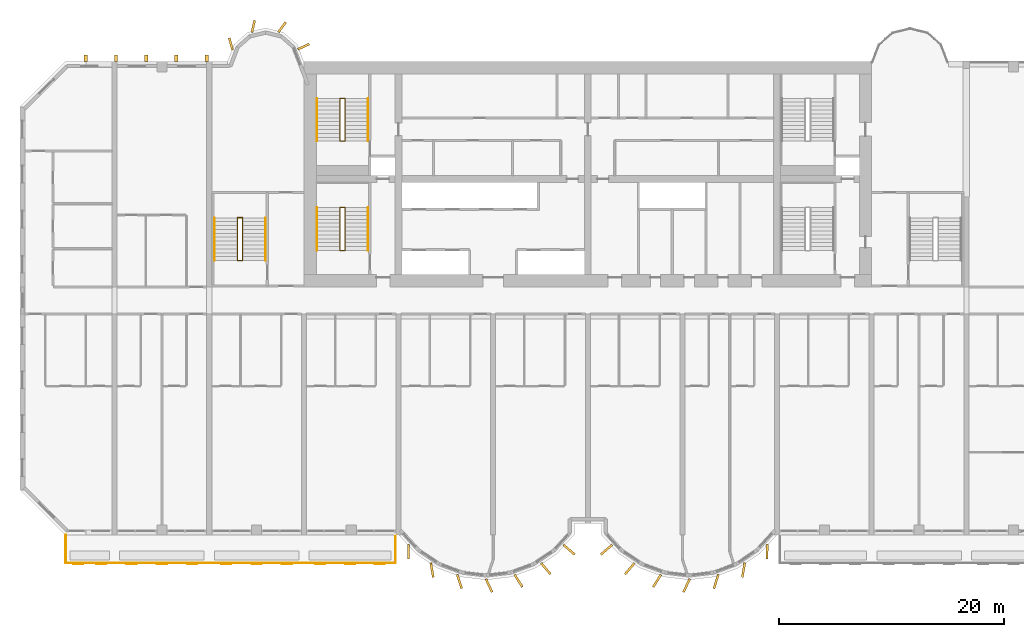
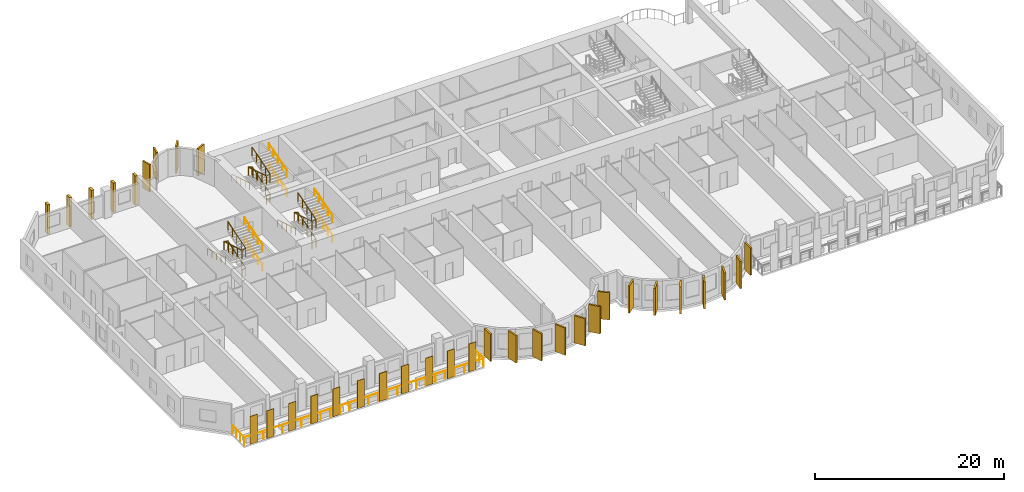
# One storey, part 12 of 14: 34 coverings, 13 railings.
"""IFC4 building model written with IfcOpenShell, lengths in metres."""

from ifc_helpers import new_model, si_unit, direction, frame, origin, origin_2d, place, context, subcontext, project, spatial, rectangle, circle, extrude, source, transform, mapped, material, layer, layer_set, material_profile, profile_set, type_object, element, save


model = new_model("IFC4")

# Units and contexts
model_context = context("Model", 3, precision=1e-05, world=origin(), true_north=direction((0.0, 1.0)))
body_context = subcontext(model_context, "Body", "Model", "MODEL_VIEW")
ifc_project = project(units=[si_unit("LENGTHUNIT", "METRE"), si_unit("AREAUNIT", "SQUARE_METRE"), si_unit("VOLUMEUNIT", "CUBIC_METRE"), si_unit("PLANEANGLEUNIT", "RADIAN"), si_unit("MASSUNIT", "GRAM", prefix="KILO")], contexts=[model_context])

# Site, building, storey
site_placement = place(None, origin())
site = spatial("IfcSite", under=ifc_project, at=site_placement, CompositionType="ELEMENT")
building_placement = place(site_placement, origin())
building = spatial("IfcBuilding", under=site, at=building_placement, Name="Vanashikhar Sky Hotel", CompositionType="ELEMENT")
storey_placement = place(building_placement, frame((0.0, 0.0, 43.0)))
storey = spatial("IfcBuildingStorey", under=building, at=storey_placement, Name="L09", CompositionType="ELEMENT", Elevation=43.0)

# Railing
ifc_material_1 = material(Name="Stainless steel 316", Category="steel")
railing_type_1 = type_object("IfcRailingType", Name="Balcony guard 1100", PredefinedType="GUARDRAIL", material=ifc_material_1)
shared_shape_1 = source(origin(), body_context, "Body", "SweptSolid", [
    extrude(circle(Radius=0.02392578125, at=origin_2d()), frame((0.0, 0.0, 1.076171875), z_axis=(0.0, -1.0, 0.0), x_axis=(1.0, 0.0, 0.0)), (0.0, 0.0, 1.0), 2.5),
    extrude(circle(Radius=0.02392578125, at=origin_2d()), frame((0.0, -2.5, 1.076171875), z_axis=(1.0, 0.0, 0.0), x_axis=(0.0, 1.0, 0.0)), (0.0, 0.0, 1.0), 29.280029296875),
    extrude(circle(Radius=0.02392578125, at=origin_2d()), frame((29.280029296875, -2.5, 1.076171875), z_axis=(0.0, 1.0, 0.0), x_axis=(-1.0, 0.0, 0.0)), (0.0, 0.0, 1.0), 2.5),
    extrude(circle(Radius=0.02099609375, at=origin_2d()), origin(), (0.0, 0.0, 1.0), 1.052001953125),
    extrude(circle(Radius=0.02099609375, at=origin_2d()), frame((0.0, -0.833251953125, 0.0)), (0.0, 0.0, 1.0), 1.052001953125),
    extrude(circle(Radius=0.02099609375, at=origin_2d()), frame((0.0, -1.666748046875, 0.0)), (0.0, 0.0, 1.0), 1.052001953125),
    extrude(circle(Radius=0.02099609375, at=origin_2d()), frame((0.0, -2.5, 0.0)), (0.0, 0.0, 1.0), 1.052001953125),
    extrude(circle(Radius=0.02099609375, at=origin_2d()), frame((1.171142578125, -2.5, 0.0)), (0.0, 0.0, 1.0), 1.052001953125),
    extrude(circle(Radius=0.02099609375, at=origin_2d()), frame((2.34228515625, -2.5, 0.0)), (0.0, 0.0, 1.0), 1.052001953125),
    extrude(circle(Radius=0.02099609375, at=origin_2d()), frame((3.513671875, -2.5, 0.0)), (0.0, 0.0, 1.0), 1.052001953125),
    extrude(circle(Radius=0.02099609375, at=origin_2d()), frame((4.684814453125, -2.5, 0.0)), (0.0, 0.0, 1.0), 1.052001953125),
    extrude(circle(Radius=0.02099609375, at=origin_2d()), frame((5.85595703125, -2.5, 0.0)), (0.0, 0.0, 1.0), 1.052001953125),
    extrude(circle(Radius=0.02099609375, at=origin_2d()), frame((7.027099609375, -2.5, 0.0)), (0.0, 0.0, 1.0), 1.052001953125),
    extrude(circle(Radius=0.02099609375, at=origin_2d()), frame((8.198486328125, -2.5, 0.0)), (0.0, 0.0, 1.0), 1.052001953125),
    extrude(circle(Radius=0.02099609375, at=origin_2d()), frame((9.36962890625, -2.5, 0.0)), (0.0, 0.0, 1.0), 1.052001953125),
    extrude(circle(Radius=0.02099609375, at=origin_2d()), frame((10.540771484375, -2.5, 0.0)), (0.0, 0.0, 1.0), 1.052001953125),
    extrude(circle(Radius=0.02099609375, at=origin_2d()), frame((11.7119140625, -2.5, 0.0)), (0.0, 0.0, 1.0), 1.052001953125),
    extrude(circle(Radius=0.02099609375, at=origin_2d()), frame((12.88330078125, -2.5, 0.0)), (0.0, 0.0, 1.0), 1.052001953125),
    extrude(circle(Radius=0.02099609375, at=origin_2d()), frame((14.054443359375, -2.5, 0.0)), (0.0, 0.0, 1.0), 1.052001953125),
    extrude(circle(Radius=0.02099609375, at=origin_2d()), frame((15.2255859375, -2.5, 0.0)), (0.0, 0.0, 1.0), 1.052001953125),
    extrude(circle(Radius=0.02099609375, at=origin_2d()), frame((16.396728515625, -2.5, 0.0)), (0.0, 0.0, 1.0), 1.052001953125),
    extrude(circle(Radius=0.02099609375, at=origin_2d()), frame((17.568115234375, -2.5, 0.0)), (0.0, 0.0, 1.0), 1.052001953125),
    extrude(circle(Radius=0.02099609375, at=origin_2d()), frame((18.7392578125, -2.5, 0.0)), (0.0, 0.0, 1.0), 1.052001953125),
    extrude(circle(Radius=0.02099609375, at=origin_2d()), frame((19.910400390625, -2.5, 0.0)), (0.0, 0.0, 1.0), 1.052001953125),
    extrude(circle(Radius=0.02099609375, at=origin_2d()), frame((21.08154296875, -2.5, 0.0)), (0.0, 0.0, 1.0), 1.052001953125),
    extrude(circle(Radius=0.02099609375, at=origin_2d()), frame((22.2529296875, -2.5, 0.0)), (0.0, 0.0, 1.0), 1.052001953125),
    extrude(circle(Radius=0.02099609375, at=origin_2d()), frame((23.424072265625, -2.5, 0.0)), (0.0, 0.0, 1.0), 1.052001953125),
    extrude(circle(Radius=0.02099609375, at=origin_2d()), frame((24.59521484375, -2.5, 0.0)), (0.0, 0.0, 1.0), 1.052001953125),
    extrude(circle(Radius=0.02099609375, at=origin_2d()), frame((25.766357421875, -2.5, 0.0)), (0.0, 0.0, 1.0), 1.052001953125),
    extrude(circle(Radius=0.02099609375, at=origin_2d()), frame((26.937744140625, -2.5, 0.0)), (0.0, 0.0, 1.0), 1.052001953125),
    extrude(circle(Radius=0.02099609375, at=origin_2d()), frame((28.10888671875, -2.5, 0.0)), (0.0, 0.0, 1.0), 1.052001953125),
    extrude(circle(Radius=0.02099609375, at=origin_2d()), frame((29.280029296875, -2.5, 0.0)), (0.0, 0.0, 1.0), 1.052001953125),
    extrude(circle(Radius=0.02099609375, at=origin_2d()), frame((29.280029296875, -1.666748046875, 0.0)), (0.0, 0.0, 1.0), 1.052001953125),
    extrude(circle(Radius=0.02099609375, at=origin_2d()), frame((29.280029296875, -0.833251953125, 0.0)), (0.0, 0.0, 1.0), 1.052001953125),
    extrude(circle(Radius=0.02099609375, at=origin_2d()), frame((29.280029296875, 0.0, 0.0)), (0.0, 0.0, 1.0), 1.052001953125),
])
railing_1_placement = place(storey_placement, frame((4.06005859375, 0.0, -0.050048828125)))
element("IfcRailing", 1, at=railing_1_placement, inside=storey, type_object=railing_type_1, Name="Balcony guard", PredefinedType="GUARDRAIL", context=body_context, shape_type="MappedRepresentation", body=[
    mapped(shared_shape_1, transform((0.0, 0.0, 0.0), scale=1.0)),
])

# Coverings
ifc_material_2 = material(Name="Terracotta", Category="masonry")
ifc_layer = layer(ifc_material_2, 0.06005859375)
ifc_layer_set = layer_set([ifc_layer], Name="Terracotta baguette screen")
covering_type_1 = type_object("IfcCoveringType", Name="Terracotta baguette screen", PredefinedType="CLADDING", material=ifc_layer_set)
shared_shape_2 = source(origin(), body_context, "Body", "SweptSolid", [
    extrude(rectangle(XDim=0.89990234375, YDim=0.06005859375, at=origin_2d()), origin(), (0.0, 0.0, 1.0), 3.60009765625),
])
for number, where, z_axis, x_axis, name in (
    (2, (5.175048828125, -2.570068359375, -0.050048828125), (0.0, 0.0, 1.0), (1.0, 0.0, 0.0), "Terracotta screen"),
    (3, (7.22509765625, -2.570068359375, -0.050048828125), (0.0, 0.0, 1.0), (1.0, 0.0, 0.0), "Terracotta screen"),
    (4, (9.89990234375, -2.570068359375, -0.050048828125), (0.0, 0.0, 1.0), (1.0, 0.0, 0.0), "Terracotta screen"),
    (5, (12.60009765625, -2.570068359375, -0.050048828125), (0.0, 0.0, 1.0), (1.0, 0.0, 0.0), "Terracotta screen"),
    (6, (15.300048828125, -2.570068359375, -0.050048828125), (0.0, 0.0, 1.0), (1.0, 0.0, 0.0), "Terracotta screen"),
    (7, (18.300048828125, -2.570068359375, -0.050048828125), (0.0, 0.0, 1.0), (1.0, 0.0, 0.0), "Terracotta screen"),
    (8, (21.0, -2.570068359375, -0.050048828125), (0.0, 0.0, 1.0), (1.0, 0.0, 0.0), "Terracotta screen"),
    (9, (23.699951171875, -2.570068359375, -0.050048828125), (0.0, 0.0, 1.0), (1.0, 0.0, 0.0), "Terracotta screen"),
    (10, (26.666748046875, -2.570068359375, -0.050048828125), (0.0, 0.0, 1.0), (1.0, 0.0, 0.0), "Terracotta screen"),
    (11, (29.300048828125, -2.570068359375, -0.050048828125), (0.0, 0.0, 1.0), (1.0, 0.0, 0.0), "Terracotta screen"),
    (12, (31.933349609375, -2.570068359375, -0.050048828125), (0.0, 0.0, 1.0), (1.0, 0.0, 0.0), "Terracotta screen"),
):
    element("IfcCovering", number, at=place(storey_placement, frame(where, z_axis=z_axis, x_axis=x_axis)), inside=storey, type_object=covering_type_1, Name=name, PredefinedType="CLADDING", context=body_context, shape_type="MappedRepresentation", body=[
        mapped(shared_shape_2, transform((0.0, 0.0, 0.0), scale=1.0)),
    ])
ifc_material_3 = material(Name="Concrete M60 dark", Category="concrete")
ifc_material_profile_1 = material_profile(ifc_material_3, rectangle(XDim=1.300048828125, YDim=0.199951171875, at=origin_2d()))
ifc_profile_set_1 = profile_set([ifc_material_profile_1], Name="Fin 1300 x 200")
covering_type_2 = type_object("IfcCoveringType", Name="Fin 1300 x 200", PredefinedType="CLADDING", material=ifc_profile_set_1)
shared_shape_3 = source(origin(), body_context, "Body", "SweptSolid", [
    extrude(rectangle(XDim=1.300048828125, YDim=0.199951171875, at=origin_2d()), origin(), (0.0, 0.0, 1.0), 3.52001953125),
])
for number, where, z_axis, x_axis, name in (
    (13, (34.482421875, -1.507080078125, 0.0), (0.0, 0.0, 1.0), (0.011588726826, -0.999932848451, 0.0), "Fin F1-1"),
    (14, (36.572509765625, -3.1220703125, 0.0), (0.0, 0.0, 1.0), (0.16989991575, -0.985461322746, 0.0), "Fin F1-2"),
    (15, (39.00830078125, -4.14306640625, 0.0), (0.0, 0.0, 1.0), (0.303966551867, -0.952682704444, 0.0), "Fin F1-3"),
    (16, (41.63232421875, -4.49853515625, 0.0), (0.0, 0.0, 1.0), (0.422618261741, -0.906307787037, 0.0), "Fin F1-4"),
    (17, (44.251953125, -4.083984375, 0.0), (0.0, 0.0, 1.0), (0.534411358496, -0.845224526331, 0.0), "Fin F1-5"),
    (18, (46.676025390625, -3.0, 0.0), (0.0, 0.0, 1.0), (0.645697609467, -0.763593214433, 0.0), "Fin F1-6"),
    (19, (48.7412109375, -1.3154296875, 0.0), (0.0, 0.0, 1.0), (0.758543912032, -0.65162192529, 0.0), "Fin F1-7"),
    (20, (52.058837890625, -1.3154296875, 0.0), (0.0, 0.0, 1.0), (-0.758543912032, -0.65162192529, 0.0), "Fin F2-1"),
    (21, (54.123779296875, -3.0, 0.0), (0.0, 0.0, 1.0), (-0.645697609467, -0.763593214433, 0.0), "Fin F2-2"),
    (22, (56.547119140625, -4.083984375, 0.0), (0.0, 0.0, 1.0), (-0.534411358496, -0.845224526331, 0.0), "Fin F2-3"),
    (23, (59.16748046875, -4.49853515625, 0.0), (0.0, 0.0, 1.0), (-0.422618261741, -0.906307787037, 0.0), "Fin F2-4"),
    (24, (61.790771484375, -4.14306640625, 0.0), (0.0, 0.0, 1.0), (-0.303966551867, -0.952682704444, 0.0), "Fin F2-5"),
    (25, (64.2275390625, -3.1220703125, 0.0), (0.0, 0.0, 1.0), (-0.16989991575, -0.985461322746, 0.0), "Fin F2-6"),
    (26, (66.317626953125, -1.507080078125, 0.0), (0.0, 0.0, 1.0), (-0.011588726826, -0.999932848451, 0.0), "Fin F2-7"),
):
    element("IfcCovering", number, at=place(storey_placement, frame(where, z_axis=z_axis, x_axis=x_axis)), inside=storey, type_object=covering_type_2, Name=name, PredefinedType="CLADDING", context=body_context, shape_type="MappedRepresentation", body=[
        mapped(shared_shape_3, transform((0.0, 0.0, 0.0), scale=1.0)),
    ])
ifc_material_profile_2 = material_profile(ifc_material_3, rectangle(XDim=1.10009765625, YDim=0.199951171875, at=origin_2d()))
ifc_profile_set_2 = profile_set([ifc_material_profile_2], Name="Rear lobe fin 1100 x 200")
covering_type_3 = type_object("IfcCoveringType", Name="Rear lobe fin 1100 x 200", PredefinedType="CLADDING", material=ifc_profile_set_2)
shared_shape_4 = source(origin(), body_context, "Body", "SweptSolid", [
    extrude(rectangle(XDim=1.10009765625, YDim=0.199951171875, at=origin_2d()), origin(), (0.0, 0.0, 1.0), 3.52001953125),
])
for number, where, z_axis, x_axis, name in (
    (27, (18.720703125, 43.580078125, 0.0), (0.0, 0.0, 1.0), (-0.262711264409, 0.964874495234, 0.0), "Fin R1-1"),
    (28, (20.710205078125, 45.1455078125, 0.0), (0.0, 0.0, 1.0), (0.224644935864, 0.974440687159, 0.0), "Fin R1-2"),
    (29, (23.261962890625, 45.06640625, 0.0), (0.0, 0.0, 1.0), (0.602065892195, 0.798446404874, 0.0), "Fin R1-3"),
    (30, (25.169677734375, 43.33447265625, 0.0), (0.0, 0.0, 1.0), (0.908004291068, 0.418960866193, 0.0), "Fin R1-4"),
):
    element("IfcCovering", number, at=place(storey_placement, frame(where, z_axis=z_axis, x_axis=x_axis)), inside=storey, type_object=covering_type_3, Name=name, PredefinedType="CLADDING", context=body_context, shape_type="MappedRepresentation", body=[
        mapped(shared_shape_4, transform((0.0, 0.0, 0.0), scale=1.0)),
    ])
ifc_material_profile_3 = material_profile(ifc_material_3, rectangle(XDim=0.60009765625, YDim=0.300048828125, at=origin_2d()))
ifc_profile_set_3 = profile_set([ifc_material_profile_3], Name="Rear rib 600 x 300")
covering_type_4 = type_object("IfcCoveringType", Name="Rear rib 600 x 300", PredefinedType="CLADDING", material=ifc_profile_set_3)
shared_shape_5 = source(origin(), body_context, "Body", "SweptSolid", [
    extrude(rectangle(XDim=0.60009765625, YDim=0.300048828125, at=origin_2d()), origin(), (0.0, 0.0, 1.0), 3.800048828125),
])
for number, where, z_axis, x_axis, name in (
    (31, (5.840087890625, 42.300048828125, -0.280029296875), (0.0, 0.0, 1.0), (0.0, 1.0, 0.0), "Rear rib"),
    (32, (8.52001953125, 42.300048828125, -0.280029296875), (0.0, 0.0, 1.0), (0.0, 1.0, 0.0), "Rear rib"),
    (33, (11.199951171875, 42.300048828125, -0.280029296875), (0.0, 0.0, 1.0), (0.0, 1.0, 0.0), "Rear rib"),
    (34, (13.8798828125, 42.300048828125, -0.280029296875), (0.0, 0.0, 1.0), (0.0, 1.0, 0.0), "Rear rib"),
    (35, (16.56005859375, 42.300048828125, -0.280029296875), (0.0, 0.0, 1.0), (0.0, 1.0, 0.0), "Rear rib"),
):
    element("IfcCovering", number, at=place(storey_placement, frame(where, z_axis=z_axis, x_axis=x_axis)), inside=storey, type_object=covering_type_4, Name=name, PredefinedType="CLADDING", context=body_context, shape_type="MappedRepresentation", body=[
        mapped(shared_shape_5, transform((0.0, 0.0, 0.0), scale=1.0)),
    ])

# Railings
ifc_material_4 = material(Name="Steel S355", Category="steel")
railing_type_2 = type_object("IfcRailingType", Name="Stair handrail 900", PredefinedType="HANDRAIL", material=ifc_material_4)
shared_shape_6 = source(origin(), body_context, "Body", "SweptSolid", [
    extrude(circle(Radius=0.02392578125, at=origin_2d()), frame((0.0, 0.0, 0.8759765625), z_axis=(0.0, 0.95635109408, 0.292220096591), x_axis=(-1.0, 0.0, 0.0)), (0.0, 0.0, 1.0), 3.973388671875),
    extrude(circle(Radius=0.02099609375, at=origin_2d()), origin(), (0.0, 0.0, 1.0), 0.851806640625),
    extrude(circle(Radius=0.02099609375, at=origin_2d()), frame((0.0, 0.949951171875, 0.290283203125)), (0.0, 0.0, 1.0), 0.851806640625),
    extrude(circle(Radius=0.02099609375, at=origin_2d()), frame((0.0, 1.89990234375, 0.58056640625)), (0.0, 0.0, 1.0), 0.851806640625),
    extrude(circle(Radius=0.02099609375, at=origin_2d()), frame((0.0, 2.85009765625, 0.870849609375)), (0.0, 0.0, 1.0), 0.851806640625),
    extrude(circle(Radius=0.02099609375, at=origin_2d()), frame((0.0, 3.800048828125, 1.1611328125)), (0.0, 0.0, 1.0), 0.851806640625),
])
for number, where, name in (
    (36, (30.89990234375, 25.25, 0.10546875), "Exit stair 1 handrail"),
    (37, (30.89990234375, 25.25, 2.638916015625), "Exit stair 1 handrail"),
    (38, (30.89990234375, 34.949951171875, 0.10546875), "Exit stair 5 handrail"),
    (39, (30.89990234375, 34.949951171875, 2.638916015625), "Exit stair 5 handrail"),
):
    element("IfcRailing", number, at=place(storey_placement, frame(where)), inside=storey, type_object=railing_type_2, Name=name, PredefinedType="HANDRAIL", context=body_context, shape_type="MappedRepresentation", body=[
        mapped(shared_shape_6, transform((0.0, 0.0, 0.0), scale=1.0)),
    ])
shared_shape_7 = source(origin(), body_context, "Body", "SweptSolid", [
    extrude(circle(Radius=0.02392578125, at=origin_2d()), frame((0.0, 0.0, 0.8759765625), z_axis=(0.0, -0.95635109408, 0.292220096591), x_axis=(1.0, 0.0, 0.0)), (0.0, 0.0, 1.0), 3.973388671875),
    extrude(circle(Radius=0.02099609375, at=origin_2d()), origin(), (0.0, 0.0, 1.0), 0.851806640625),
    extrude(circle(Radius=0.02099609375, at=origin_2d()), frame((0.0, -0.949951171875, 0.290283203125)), (0.0, 0.0, 1.0), 0.851806640625),
    extrude(circle(Radius=0.02099609375, at=origin_2d()), frame((0.0, -1.89990234375, 0.58056640625)), (0.0, 0.0, 1.0), 0.851806640625),
    extrude(circle(Radius=0.02099609375, at=origin_2d()), frame((0.0, -2.85009765625, 0.870849609375)), (0.0, 0.0, 1.0), 0.851806640625),
    extrude(circle(Radius=0.02099609375, at=origin_2d()), frame((0.0, -3.800048828125, 1.1611328125)), (0.0, 0.0, 1.0), 0.851806640625),
])
for number, where, name in (
    (40, (26.35009765625, 29.050048828125, 1.372314453125), "Exit stair 1 handrail"),
    (41, (26.35009765625, 38.75, 1.372314453125), "Exit stair 5 handrail"),
):
    element("IfcRailing", number, at=place(storey_placement, frame(where)), inside=storey, type_object=railing_type_2, Name=name, PredefinedType="HANDRAIL", context=body_context, shape_type="MappedRepresentation", body=[
        mapped(shared_shape_7, transform((0.0, 0.0, 0.0), scale=1.0)),
    ])
railing_type_3 = type_object("IfcRailingType", Name="Stair guard 1100", PredefinedType="GUARDRAIL", material=ifc_material_4)
shared_shape_8 = source(origin(), body_context, "Body", "SweptSolid", [
    extrude(circle(Radius=0.02392578125, at=origin_2d()), frame((0.0, 0.0, 1.076171875), z_axis=(0.973638301096, 0.0, 0.228097476179), x_axis=(0.0, 1.0, 0.0)), (0.0, 0.0, 1.0), 0.46240234375),
    extrude(circle(Radius=0.02392578125, at=origin_2d()), frame((0.4501953125, 0.0, 1.181640625), z_axis=(0.0, 0.95635109408, 0.292220096591), x_axis=(-1.0, 0.0, 0.0)), (0.0, 0.0, 1.0), 3.973388671875),
    extrude(circle(Radius=0.02392578125, at=origin_2d()), frame((0.4501953125, 3.800048828125, 2.3427734375), z_axis=(-0.973520925263, 0.0, 0.228597917917), x_axis=(0.0, -1.0, 0.0)), (0.0, 0.0, 1.0), 0.46240234375),
    extrude(circle(Radius=0.02392578125, at=origin_2d()), frame((0.0, 3.800048828125, 2.4482421875), z_axis=(0.0, -0.95635109408, 0.292220096591), x_axis=(1.0, 0.0, 0.0)), (0.0, 0.0, 1.0), 3.973388671875),
    extrude(circle(Radius=0.02392578125, at=origin_2d()), frame((0.0, 0.0, 3.609375), z_axis=(0.973638301096, 0.0, 0.228097476179), x_axis=(0.0, 1.0, 0.0)), (0.0, 0.0, 1.0), 0.46240234375),
    extrude(circle(Radius=0.02392578125, at=origin_2d()), frame((0.4501953125, 0.0, 3.71484375), z_axis=(0.0, 0.95635109408, 0.292220096591), x_axis=(-1.0, 0.0, 0.0)), (0.0, 0.0, 1.0), 3.973388671875),
    extrude(circle(Radius=0.02099609375, at=origin_2d()), origin(), (0.0, 0.0, 1.0), 1.052001953125),
    extrude(circle(Radius=0.02099609375, at=origin_2d()), frame((0.4501953125, 0.0, 0.10546875)), (0.0, 0.0, 1.0), 1.052001953125),
    extrude(circle(Radius=0.02099609375, at=origin_2d()), frame((0.4501953125, 0.949951171875, 0.395751953125)), (0.0, 0.0, 1.0), 1.052001953125),
    extrude(circle(Radius=0.02099609375, at=origin_2d()), frame((0.4501953125, 1.89990234375, 0.68603515625)), (0.0, 0.0, 1.0), 1.052001953125),
    extrude(circle(Radius=0.02099609375, at=origin_2d()), frame((0.4501953125, 2.85009765625, 0.976318359375)), (0.0, 0.0, 1.0), 1.052001953125),
    extrude(circle(Radius=0.02099609375, at=origin_2d()), frame((0.4501953125, 3.800048828125, 1.2666015625)), (0.0, 0.0, 1.0), 1.052001953125),
    extrude(circle(Radius=0.02099609375, at=origin_2d()), frame((0.0, 3.800048828125, 1.372314453125)), (0.0, 0.0, 1.0), 1.052001953125),
    extrude(circle(Radius=0.02099609375, at=origin_2d()), frame((0.0, 2.85009765625, 1.66259765625)), (0.0, 0.0, 1.0), 1.052001953125),
    extrude(circle(Radius=0.02099609375, at=origin_2d()), frame((0.0, 1.89990234375, 1.952880859375)), (0.0, 0.0, 1.0), 1.052001953125),
    extrude(circle(Radius=0.02099609375, at=origin_2d()), frame((0.0, 0.949951171875, 2.2431640625)), (0.0, 0.0, 1.0), 1.052001953125),
    extrude(circle(Radius=0.02099609375, at=origin_2d()), frame((0.0, 0.0, 2.533447265625)), (0.0, 0.0, 1.0), 1.052001953125),
    extrude(circle(Radius=0.02099609375, at=origin_2d()), frame((0.4501953125, 0.0, 2.638916015625)), (0.0, 0.0, 1.0), 1.052001953125),
    extrude(circle(Radius=0.02099609375, at=origin_2d()), frame((0.4501953125, 0.949951171875, 2.92919921875)), (0.0, 0.0, 1.0), 1.052001953125),
    extrude(circle(Radius=0.02099609375, at=origin_2d()), frame((0.4501953125, 1.89990234375, 3.219482421875)), (0.0, 0.0, 1.0), 1.052001953125),
    extrude(circle(Radius=0.02099609375, at=origin_2d()), frame((0.4501953125, 2.85009765625, 3.509765625)), (0.0, 0.0, 1.0), 1.052001953125),
    extrude(circle(Radius=0.02099609375, at=origin_2d()), frame((0.4501953125, 3.800048828125, 3.800048828125)), (0.0, 0.0, 1.0), 1.052001953125),
])
for number, where, name in (
    (42, (28.39990234375, 25.25, 0.0), "Exit stair 1 guard"),
    (43, (28.39990234375, 34.949951171875, 0.0), "Exit stair 5 guard"),
):
    element("IfcRailing", number, at=place(storey_placement, frame(where)), inside=storey, type_object=railing_type_3, Name=name, PredefinedType="GUARDRAIL", context=body_context, shape_type="MappedRepresentation", body=[
        mapped(shared_shape_8, transform((0.0, 0.0, 0.0), scale=1.0)),
    ])
shared_shape_9 = source(origin(), body_context, "Body", "SweptSolid", [
    extrude(circle(Radius=0.02392578125, at=origin_2d()), frame((0.0, 0.0, 0.8759765625), z_axis=(0.0, 0.956345846891, 0.292237268557), x_axis=(-1.0, 0.0, 0.0)), (0.0, 0.0, 1.0), 3.97314453125),
    extrude(circle(Radius=0.02099609375, at=origin_2d()), origin(), (0.0, 0.0, 1.0), 0.851806640625),
    extrude(circle(Radius=0.02099609375, at=origin_2d()), frame((0.0, 0.949951171875, 0.290283203125)), (0.0, 0.0, 1.0), 0.851806640625),
    extrude(circle(Radius=0.02099609375, at=origin_2d()), frame((0.0, 1.89990234375, 0.58056640625)), (0.0, 0.0, 1.0), 0.851806640625),
    extrude(circle(Radius=0.02099609375, at=origin_2d()), frame((0.0, 2.849853515625, 0.870849609375)), (0.0, 0.0, 1.0), 0.851806640625),
    extrude(circle(Radius=0.02099609375, at=origin_2d()), frame((0.0, 3.7998046875, 1.1611328125)), (0.0, 0.0, 1.0), 0.851806640625),
])
for number, where, name in (
    (44, (21.800048828125, 24.35009765625, 0.10546875), "Exit stair 3 handrail"),
    (45, (21.800048828125, 24.35009765625, 2.638916015625), "Exit stair 3 handrail"),
):
    element("IfcRailing", number, at=place(storey_placement, frame(where)), inside=storey, type_object=railing_type_2, Name=name, PredefinedType="HANDRAIL", context=body_context, shape_type="MappedRepresentation", body=[
        mapped(shared_shape_9, transform((0.0, 0.0, 0.0), scale=1.0)),
    ])
shared_shape_10 = source(origin(), body_context, "Body", "SweptSolid", [
    extrude(circle(Radius=0.02392578125, at=origin_2d()), frame((0.0, 0.0, 0.8759765625), z_axis=(0.0, -0.956345846891, 0.292237268557), x_axis=(1.0, 0.0, 0.0)), (0.0, 0.0, 1.0), 3.97314453125),
    extrude(circle(Radius=0.02099609375, at=origin_2d()), origin(), (0.0, 0.0, 1.0), 0.851806640625),
    extrude(circle(Radius=0.02099609375, at=origin_2d()), frame((0.0, -0.949951171875, 0.290283203125)), (0.0, 0.0, 1.0), 0.851806640625),
    extrude(circle(Radius=0.02099609375, at=origin_2d()), frame((0.0, -1.89990234375, 0.58056640625)), (0.0, 0.0, 1.0), 0.851806640625),
    extrude(circle(Radius=0.02099609375, at=origin_2d()), frame((0.0, -2.849853515625, 0.870849609375)), (0.0, 0.0, 1.0), 0.851806640625),
    extrude(circle(Radius=0.02099609375, at=origin_2d()), frame((0.0, -3.7998046875, 1.1611328125)), (0.0, 0.0, 1.0), 0.851806640625),
])
railing_2_placement = place(storey_placement, frame((17.25, 28.14990234375, 1.372314453125)))
element("IfcRailing", 46, at=railing_2_placement, inside=storey, type_object=railing_type_2, Name="Exit stair 3 handrail", PredefinedType="HANDRAIL", context=body_context, shape_type="MappedRepresentation", body=[
    mapped(shared_shape_10, transform((0.0, 0.0, 0.0), scale=1.0)),
])
shared_shape_11 = source(origin(), body_context, "Body", "SweptSolid", [
    extrude(circle(Radius=0.02392578125, at=origin_2d()), frame((0.0, 0.0, 1.076171875), z_axis=(0.973610808694, 0.0, 0.228214796178), x_axis=(0.0, 1.0, 0.0)), (0.0, 0.0, 1.0), 0.462158203125),
    extrude(circle(Radius=0.02392578125, at=origin_2d()), frame((0.449951171875, 0.0, 1.181640625), z_axis=(0.0, 0.956345846891, 0.292237268557), x_axis=(-1.0, 0.0, 0.0)), (0.0, 0.0, 1.0), 3.97314453125),
    extrude(circle(Radius=0.02392578125, at=origin_2d()), frame((0.449951171875, 3.7998046875, 2.3427734375), z_axis=(-0.973493315427, 0.0, 0.228715466945), x_axis=(0.0, -1.0, 0.0)), (0.0, 0.0, 1.0), 0.462158203125),
    extrude(circle(Radius=0.02392578125, at=origin_2d()), frame((0.0, 3.7998046875, 2.4482421875), z_axis=(0.0, -0.956345846891, 0.292237268557), x_axis=(1.0, 0.0, 0.0)), (0.0, 0.0, 1.0), 3.97314453125),
    extrude(circle(Radius=0.02392578125, at=origin_2d()), frame((0.0, 0.0, 3.609375), z_axis=(0.973610808694, 0.0, 0.228214796178), x_axis=(0.0, 1.0, 0.0)), (0.0, 0.0, 1.0), 0.462158203125),
    extrude(circle(Radius=0.02392578125, at=origin_2d()), frame((0.449951171875, 0.0, 3.71484375), z_axis=(0.0, 0.956345846891, 0.292237268557), x_axis=(-1.0, 0.0, 0.0)), (0.0, 0.0, 1.0), 3.97314453125),
    extrude(circle(Radius=0.02099609375, at=origin_2d()), origin(), (0.0, 0.0, 1.0), 1.052001953125),
    extrude(circle(Radius=0.02099609375, at=origin_2d()), frame((0.449951171875, 0.0, 0.10546875)), (0.0, 0.0, 1.0), 1.052001953125),
    extrude(circle(Radius=0.02099609375, at=origin_2d()), frame((0.449951171875, 0.949951171875, 0.395751953125)), (0.0, 0.0, 1.0), 1.052001953125),
    extrude(circle(Radius=0.02099609375, at=origin_2d()), frame((0.449951171875, 1.89990234375, 0.68603515625)), (0.0, 0.0, 1.0), 1.052001953125),
    extrude(circle(Radius=0.02099609375, at=origin_2d()), frame((0.449951171875, 2.849853515625, 0.976318359375)), (0.0, 0.0, 1.0), 1.052001953125),
    extrude(circle(Radius=0.02099609375, at=origin_2d()), frame((0.449951171875, 3.7998046875, 1.2666015625)), (0.0, 0.0, 1.0), 1.052001953125),
    extrude(circle(Radius=0.02099609375, at=origin_2d()), frame((0.0, 3.7998046875, 1.372314453125)), (0.0, 0.0, 1.0), 1.052001953125),
    extrude(circle(Radius=0.02099609375, at=origin_2d()), frame((0.0, 2.849853515625, 1.66259765625)), (0.0, 0.0, 1.0), 1.052001953125),
    extrude(circle(Radius=0.02099609375, at=origin_2d()), frame((0.0, 1.89990234375, 1.952880859375)), (0.0, 0.0, 1.0), 1.052001953125),
    extrude(circle(Radius=0.02099609375, at=origin_2d()), frame((0.0, 0.949951171875, 2.2431640625)), (0.0, 0.0, 1.0), 1.052001953125),
    extrude(circle(Radius=0.02099609375, at=origin_2d()), frame((0.0, 0.0, 2.533447265625)), (0.0, 0.0, 1.0), 1.052001953125),
    extrude(circle(Radius=0.02099609375, at=origin_2d()), frame((0.449951171875, 0.0, 2.638916015625)), (0.0, 0.0, 1.0), 1.052001953125),
    extrude(circle(Radius=0.02099609375, at=origin_2d()), frame((0.449951171875, 0.949951171875, 2.92919921875)), (0.0, 0.0, 1.0), 1.052001953125),
    extrude(circle(Radius=0.02099609375, at=origin_2d()), frame((0.449951171875, 1.89990234375, 3.219482421875)), (0.0, 0.0, 1.0), 1.052001953125),
    extrude(circle(Radius=0.02099609375, at=origin_2d()), frame((0.449951171875, 2.849853515625, 3.509765625)), (0.0, 0.0, 1.0), 1.052001953125),
    extrude(circle(Radius=0.02099609375, at=origin_2d()), frame((0.449951171875, 3.7998046875, 3.800048828125)), (0.0, 0.0, 1.0), 1.052001953125),
])
railing_3_placement = place(storey_placement, frame((19.300048828125, 24.35009765625, 0.0)))
element("IfcRailing", 47, at=railing_3_placement, inside=storey, type_object=railing_type_3, Name="Exit stair 3 guard", PredefinedType="GUARDRAIL", context=body_context, shape_type="MappedRepresentation", body=[
    mapped(shared_shape_11, transform((0.0, 0.0, 0.0), scale=1.0)),
])

save(model, "model.ifc")
